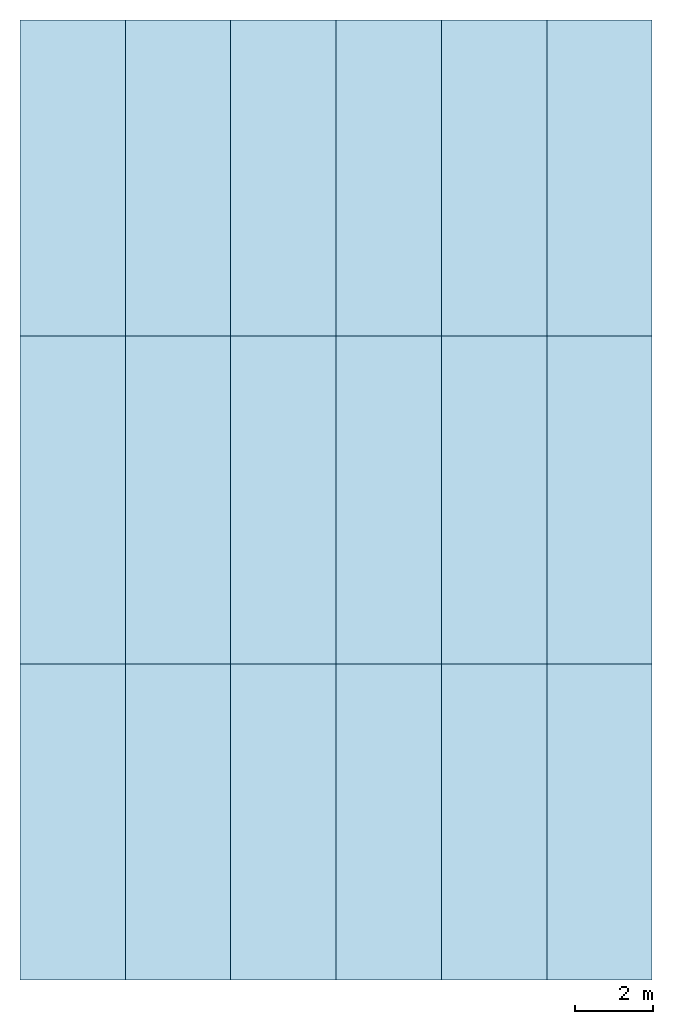
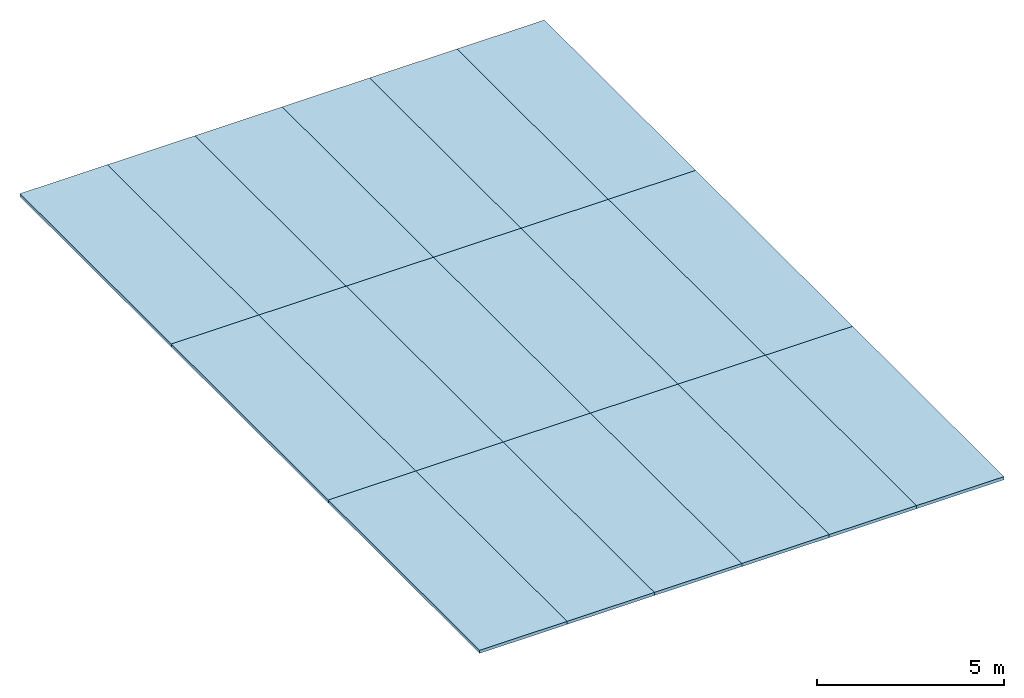
# One storey: 18 slabs.
"""IFC4 building model written with IfcOpenShell, lengths in metres."""

from ifc_helpers import new_model, si_unit, direction, frame, origin, place, context, subcontext, project, spatial, polyline, outline, extrude, material, layer, layer_set, type_object, element, save


model = new_model("IFC4")

# Units and contexts
model_context = context("Model", 3, precision=1e-05, world=origin(), true_north=direction((0.0, 1.0)))
body_context = subcontext(model_context, "Body", "Model", "MODEL_VIEW")
ifc_project = project(units=[si_unit("LENGTHUNIT", "METRE"), si_unit("AREAUNIT", "SQUARE_METRE"), si_unit("VOLUMEUNIT", "CUBIC_METRE"), si_unit("PLANEANGLEUNIT", "RADIAN"), si_unit("MASSUNIT", "GRAM", prefix="KILO")], contexts=[model_context])

# Site, building, storey
site_placement = place(None, origin())
site = spatial("IfcSite", under=ifc_project, at=site_placement, CompositionType="ELEMENT")
building_placement = place(site_placement, origin())
building = spatial("IfcBuilding", under=site, at=building_placement, Name="Larchfold Concert Hall", CompositionType="ELEMENT")
storey_placement = place(building_placement, frame((0.0, 0.0, 43.199951171875)))
storey = spatial("IfcBuildingStorey", under=building, at=storey_placement, Name="Roof", CompositionType="ELEMENT", Elevation=43.199951171875)

# Slabs
ifc_material = material(Name="Steel S355", Category="steel")
ifc_layer = layer(ifc_material, 0.10009765625)
ifc_layer_set = layer_set([ifc_layer], Name="Steel S355")
slab_type = type_object("IfcSlabType", Name="Roof plate 100 insulated", PredefinedType="ROOF", material=ifc_layer_set)
slab_1_placement = place(storey_placement, frame((37.199951171875, 34.5, -0.010009765625), z_axis=(0.0, 0.0, 1.0), x_axis=(0.0, 1.0, 0.0)))
element("IfcSlab", 1, at=slab_1_placement, inside=storey, type_object=slab_type, Name="Roof plate FP008", PredefinedType="ROOF", context=body_context, shape_type="SweptSolid", body=[
    extrude(outline(polyline([(0.0, 0.0), (8.10009765625, 0.0), (8.10009765625, 2.699951171875), (0.0, 2.699951171875), (0.0, 0.0)])), origin(), (0.0, 0.0, -1.0), 0.10009765625),
])
slab_2_placement = place(storey_placement, frame((37.199951171875, 42.60009765625, -0.010009765625), z_axis=(0.0, 0.0, 1.0), x_axis=(0.0, 1.0, 0.0)))
element("IfcSlab", 2, at=slab_2_placement, inside=storey, type_object=slab_type, Name="Roof plate FP009", PredefinedType="ROOF", context=body_context, shape_type="SweptSolid", body=[
    extrude(outline(polyline([(0.0, 0.0), (8.39990234375, 0.0), (8.39990234375, 2.699951171875), (0.0, 2.699951171875), (0.0, 0.0)])), origin(), (0.0, 0.0, -1.0), 0.10009765625),
])
for number, where, z_axis, x_axis, name in (
    (3, (37.199951171875, 51.0, -0.010009765625), (0.0, 0.0, 1.0), (0.0, 1.0, 0.0), "Roof plate FP010"),
    (4, (39.89990234375, 34.5, -0.010009765625), (0.0, 0.0, 1.0), (0.0, 1.0, 0.0), "Roof plate FP011"),
):
    element("IfcSlab", number, at=place(storey_placement, frame(where, z_axis=z_axis, x_axis=x_axis)), inside=storey, type_object=slab_type, Name=name, PredefinedType="ROOF", context=body_context, shape_type="SweptSolid", body=[
        extrude(outline(polyline([(0.0, 0.0), (8.10009765625, 0.0), (8.10009765625, 2.699951171875), (0.0, 2.699951171875), (0.0, 0.0)])), origin(), (0.0, 0.0, -1.0), 0.10009765625),
    ])
slab_3_placement = place(storey_placement, frame((39.89990234375, 42.60009765625, -0.010009765625), z_axis=(0.0, 0.0, 1.0), x_axis=(0.0, 1.0, 0.0)))
element("IfcSlab", 5, at=slab_3_placement, inside=storey, type_object=slab_type, Name="Roof plate FP012", PredefinedType="ROOF", context=body_context, shape_type="SweptSolid", body=[
    extrude(outline(polyline([(0.0, 0.0), (8.39990234375, 0.0), (8.39990234375, 2.699951171875), (0.0, 2.699951171875), (0.0, 0.0)])), origin(), (0.0, 0.0, -1.0), 0.10009765625),
])
slab_4_placement = place(storey_placement, frame((39.89990234375, 51.0, -0.010009765625), z_axis=(0.0, 0.0, 1.0), x_axis=(0.0, 1.0, 0.0)))
element("IfcSlab", 6, at=slab_4_placement, inside=storey, type_object=slab_type, Name="Roof plate FP013", PredefinedType="ROOF", context=body_context, shape_type="SweptSolid", body=[
    extrude(outline(polyline([(0.0, 0.0), (8.10009765625, 0.0), (8.10009765625, 2.699951171875), (0.0, 2.699951171875), (0.0, 0.0)])), origin(), (0.0, 0.0, -1.0), 0.10009765625),
])
slab_5_placement = place(storey_placement, frame((42.60009765625, 34.5, -0.010009765625), z_axis=(0.0, 0.0, 1.0), x_axis=(0.0, 1.0, 0.0)))
element("IfcSlab", 7, at=slab_5_placement, inside=storey, type_object=slab_type, Name="Roof plate FP014", PredefinedType="ROOF", context=body_context, shape_type="SweptSolid", body=[
    extrude(outline(polyline([(0.0, 0.0), (8.10009765625, 0.0), (8.10009765625, 2.7001953125), (0.0, 2.7001953125), (0.0, 0.0)])), origin(), (0.0, 0.0, -1.0), 0.10009765625),
])
slab_6_placement = place(storey_placement, frame((42.60009765625, 42.60009765625, -0.010009765625), z_axis=(0.0, 0.0, 1.0), x_axis=(0.0, 1.0, 0.0)))
element("IfcSlab", 8, at=slab_6_placement, inside=storey, type_object=slab_type, Name="Roof plate FP015", PredefinedType="ROOF", context=body_context, shape_type="SweptSolid", body=[
    extrude(outline(polyline([(0.0, 0.0), (8.39990234375, 0.0), (8.39990234375, 2.7001953125), (0.0, 2.7001953125), (0.0, 0.0)])), origin(), (0.0, 0.0, -1.0), 0.10009765625),
])
slab_7_placement = place(storey_placement, frame((42.60009765625, 51.0, -0.010009765625), z_axis=(0.0, 0.0, 1.0), x_axis=(0.0, 1.0, 0.0)))
element("IfcSlab", 9, at=slab_7_placement, inside=storey, type_object=slab_type, Name="Roof plate FP016", PredefinedType="ROOF", context=body_context, shape_type="SweptSolid", body=[
    extrude(outline(polyline([(0.0, 0.0), (8.10009765625, 0.0), (8.10009765625, 2.7001953125), (0.0, 2.7001953125), (0.0, 0.0)])), origin(), (0.0, 0.0, -1.0), 0.10009765625),
])
slab_8_placement = place(storey_placement, frame((45.300048828125, 34.5, -0.010009765625), z_axis=(0.0, 0.0, 1.0), x_axis=(0.0, 1.0, 0.0)))
element("IfcSlab", 10, at=slab_8_placement, inside=storey, type_object=slab_type, Name="Roof plate FP017", PredefinedType="ROOF", context=body_context, shape_type="SweptSolid", body=[
    extrude(outline(polyline([(0.0, 0.0), (8.10009765625, 0.0), (8.10009765625, 2.699951171875), (0.0, 2.699951171875), (0.0, 0.0)])), origin(), (0.0, 0.0, -1.0), 0.10009765625),
])
slab_9_placement = place(storey_placement, frame((45.300048828125, 42.60009765625, -0.010009765625), z_axis=(0.0, 0.0, 1.0), x_axis=(0.0, 1.0, 0.0)))
element("IfcSlab", 11, at=slab_9_placement, inside=storey, type_object=slab_type, Name="Roof plate FP018", PredefinedType="ROOF", context=body_context, shape_type="SweptSolid", body=[
    extrude(outline(polyline([(0.0, 0.0), (8.39990234375, 0.0), (8.39990234375, 2.699951171875), (0.0, 2.699951171875), (0.0, 0.0)])), origin(), (0.0, 0.0, -1.0), 0.10009765625),
])
for number, where, z_axis, x_axis, name in (
    (12, (45.300048828125, 51.0, -0.010009765625), (0.0, 0.0, 1.0), (0.0, 1.0, 0.0), "Roof plate FP019"),
    (13, (48.0, 34.5, -0.010009765625), (0.0, 0.0, 1.0), (0.0, 1.0, 0.0), "Roof plate FP020"),
):
    element("IfcSlab", number, at=place(storey_placement, frame(where, z_axis=z_axis, x_axis=x_axis)), inside=storey, type_object=slab_type, Name=name, PredefinedType="ROOF", context=body_context, shape_type="SweptSolid", body=[
        extrude(outline(polyline([(0.0, 0.0), (8.10009765625, 0.0), (8.10009765625, 2.699951171875), (0.0, 2.699951171875), (0.0, 0.0)])), origin(), (0.0, 0.0, -1.0), 0.10009765625),
    ])
slab_10_placement = place(storey_placement, frame((48.0, 42.60009765625, -0.010009765625), z_axis=(0.0, 0.0, 1.0), x_axis=(0.0, 1.0, 0.0)))
element("IfcSlab", 14, at=slab_10_placement, inside=storey, type_object=slab_type, Name="Roof plate FP021", PredefinedType="ROOF", context=body_context, shape_type="SweptSolid", body=[
    extrude(outline(polyline([(0.0, 0.0), (8.39990234375, 0.0), (8.39990234375, 2.699951171875), (0.0, 2.699951171875), (0.0, 0.0)])), origin(), (0.0, 0.0, -1.0), 0.10009765625),
])
for number, where, z_axis, x_axis, name in (
    (15, (48.0, 51.0, -0.010009765625), (0.0, 0.0, 1.0), (0.0, 1.0, 0.0), "Roof plate FP022"),
    (16, (50.699951171875, 34.5, -0.010009765625), (0.0, 0.0, 1.0), (0.0, 1.0, 0.0), "Roof plate FP023"),
):
    element("IfcSlab", number, at=place(storey_placement, frame(where, z_axis=z_axis, x_axis=x_axis)), inside=storey, type_object=slab_type, Name=name, PredefinedType="ROOF", context=body_context, shape_type="SweptSolid", body=[
        extrude(outline(polyline([(0.0, 0.0), (8.10009765625, 0.0), (8.10009765625, 2.699951171875), (0.0, 2.699951171875), (0.0, 0.0)])), origin(), (0.0, 0.0, -1.0), 0.10009765625),
    ])
slab_11_placement = place(storey_placement, frame((50.699951171875, 42.60009765625, -0.010009765625), z_axis=(0.0, 0.0, 1.0), x_axis=(0.0, 1.0, 0.0)))
element("IfcSlab", 17, at=slab_11_placement, inside=storey, type_object=slab_type, Name="Roof plate FP024", PredefinedType="ROOF", context=body_context, shape_type="SweptSolid", body=[
    extrude(outline(polyline([(0.0, 0.0), (8.39990234375, 0.0), (8.39990234375, 2.699951171875), (0.0, 2.699951171875), (0.0, 0.0)])), origin(), (0.0, 0.0, -1.0), 0.10009765625),
])
slab_12_placement = place(storey_placement, frame((50.699951171875, 51.0, -0.010009765625), z_axis=(0.0, 0.0, 1.0), x_axis=(0.0, 1.0, 0.0)))
element("IfcSlab", 18, at=slab_12_placement, inside=storey, type_object=slab_type, Name="Roof plate FP025", PredefinedType="ROOF", context=body_context, shape_type="SweptSolid", body=[
    extrude(outline(polyline([(0.0, 0.0), (8.10009765625, 0.0), (8.10009765625, 2.699951171875), (0.0, 2.699951171875), (0.0, 0.0)])), origin(), (0.0, 0.0, -1.0), 0.10009765625),
])

save(model, "model.ifc")
